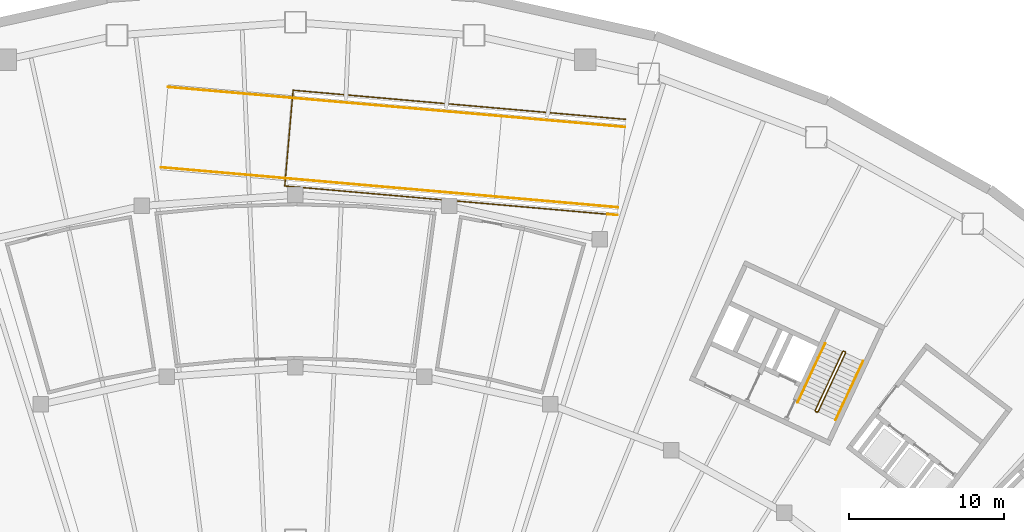
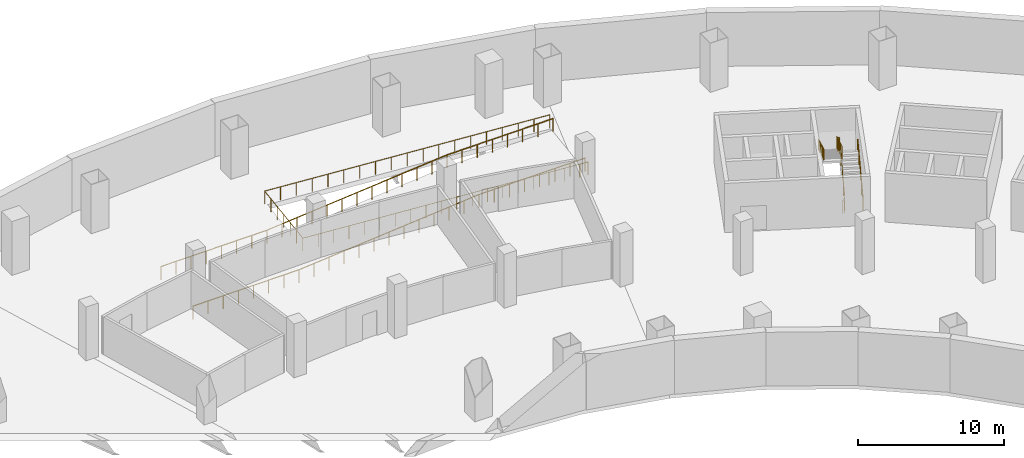
# One storey, part 10 of 11: 7 railings.
"""IFC4 building model written with IfcOpenShell, lengths in metres."""

from ifc_helpers import new_model, si_unit, direction, frame, origin, origin_2d, place, context, subcontext, project, spatial, circle, extrude, material, type_object, element, save


model = new_model("IFC4")

# Units and contexts
model_context = context("Model", 3, precision=1e-05, world=origin(), true_north=direction((0.0, 1.0)))
body_context = subcontext(model_context, "Body", "Model", "MODEL_VIEW")
ifc_project = project(units=[si_unit("LENGTHUNIT", "METRE"), si_unit("AREAUNIT", "SQUARE_METRE"), si_unit("VOLUMEUNIT", "CUBIC_METRE"), si_unit("PLANEANGLEUNIT", "RADIAN"), si_unit("MASSUNIT", "GRAM", prefix="KILO")], contexts=[model_context])

# Site, building, storey
site_placement = place(None, origin())
site = spatial("IfcSite", under=ifc_project, at=site_placement, CompositionType="ELEMENT")
building_placement = place(site_placement, origin())
building = spatial("IfcBuilding", under=site, at=building_placement, Name="Tuul Gate Civic Tower", CompositionType="ELEMENT")
storey_placement = place(building_placement, frame((0.0, 0.0, -4.5)))
storey = spatial("IfcBuildingStorey", under=building, at=storey_placement, Name="Basement 1", CompositionType="ELEMENT", Elevation=-4.5)

# Railings
ifc_material_1 = material(Name="Painted steel", Category="steel")
railing_type_1 = type_object("IfcRailingType", Name="Stair guard", PredefinedType="GUARDRAIL", material=ifc_material_1)
railing_1_placement = place(storey_placement, frame((33.645751953125, -5.238525390625, 0.0)))
element("IfcRailing", 1, at=railing_1_placement, inside=storey, type_object=railing_type_1, Name="Basement 1 ST-4 stair guard 1", PredefinedType="GUARDRAIL", context=body_context, shape_type="SweptSolid", body=[
    extrude(circle(Radius=0.02392578125, at=origin_2d()), frame((0.0, 0.0, 1.076171875), z_axis=(-0.906307919131, 0.422617978463, 0.0), x_axis=(-0.422617978463, -0.906307919131, 0.0)), (0.0, 0.0, 1.0), 0.099853515625),
    extrude(circle(Radius=0.02392578125, at=origin_2d()), frame((-0.090576171875, 0.042236328125, 1.076171875), z_axis=(0.720735628292, -0.082946246491, 0.688229666829), x_axis=(0.114330889033, 0.993442724979, 0.0)), (0.0, 0.0, 1.0), 0.2177734375),
    extrude(circle(Radius=0.02392578125, at=origin_2d()), frame((0.06640625, 0.024169921875, 1.22607421875), z_axis=(0.377970874565, 0.810635746385, 0.447222209492), x_axis=(-0.906322681284, 0.422586319455, 0.0)), (0.0, 0.0, 1.0), 4.69580078125),
    extrude(circle(Radius=0.02392578125, at=origin_2d()), frame((1.84130859375, 3.830810546875, 3.326171875), z_axis=(-0.342020437038, 0.939692513883, 0.0), x_axis=(-0.939692513883, -0.342020437038, 0.0)), (0.0, 0.0, 1.0), 0.070556640625),
    extrude(circle(Radius=0.02392578125, at=origin_2d()), frame((1.817138671875, 3.897216796875, 3.326171875), z_axis=(-0.906742786819, 0.421684145483, 0.0), x_axis=(-0.421684145483, -0.906742786819, 0.0)), (0.0, 0.0, 1.0), 0.10009765625),
    extrude(circle(Radius=0.02392578125, at=origin_2d()), frame((1.726318359375, 3.939453125, 3.326171875), z_axis=(-0.40070210376, -0.145843780413, 0.904526072458), x_axis=(0.342020437038, -0.939692513883, 0.0)), (0.0, 0.0, 1.0), 0.165771484375),
    extrude(circle(Radius=0.02392578125, at=origin_2d()), frame((1.659912109375, 3.915283203125, 3.47607421875), z_axis=(-0.377926310225, -0.810651675474, 0.447230997462), x_axis=(0.906344943348, -0.422538570626, 0.0)), (0.0, 0.0, 1.0), 4.69580078125),
    extrude(circle(Radius=0.02099609375, at=origin_2d()), origin(), (0.0, 0.0, 1.0), 1.052001953125),
    extrude(circle(Radius=0.02099609375, at=origin_2d()), frame((-0.090576171875, 0.042236328125, 0.0)), (0.0, 0.0, 1.0), 1.052001953125),
    extrude(circle(Radius=0.02099609375, at=origin_2d()), frame((0.06640625, 0.024169921875, 0.14990234375)), (0.0, 0.0, 1.0), 1.052001953125),
    extrude(circle(Radius=0.02099609375, at=origin_2d()), frame((0.51025390625, 0.975830078125, 0.6748046875)), (0.0, 0.0, 1.0), 1.052001953125),
    extrude(circle(Radius=0.02099609375, at=origin_2d()), frame((0.953857421875, 1.927490234375, 1.199951171875)), (0.0, 0.0, 1.0), 1.052001953125),
    extrude(circle(Radius=0.02099609375, at=origin_2d()), frame((1.3974609375, 2.879150390625, 1.72509765625)), (0.0, 0.0, 1.0), 1.052001953125),
    extrude(circle(Radius=0.02099609375, at=origin_2d()), frame((1.84130859375, 3.830810546875, 2.25)), (0.0, 0.0, 1.0), 1.052001953125),
    extrude(circle(Radius=0.02099609375, at=origin_2d()), frame((1.817138671875, 3.897216796875, 2.25)), (0.0, 0.0, 1.0), 1.052001953125),
    extrude(circle(Radius=0.02099609375, at=origin_2d()), frame((1.726318359375, 3.939453125, 2.25)), (0.0, 0.0, 1.0), 1.052001953125),
    extrude(circle(Radius=0.02099609375, at=origin_2d()), frame((1.659912109375, 3.915283203125, 2.39990234375)), (0.0, 0.0, 1.0), 1.052001953125),
    extrude(circle(Radius=0.02099609375, at=origin_2d()), frame((1.21630859375, 2.963623046875, 2.9248046875)), (0.0, 0.0, 1.0), 1.052001953125),
    extrude(circle(Radius=0.02099609375, at=origin_2d()), frame((0.7724609375, 2.011962890625, 3.449951171875)), (0.0, 0.0, 1.0), 1.052001953125),
    extrude(circle(Radius=0.02099609375, at=origin_2d()), frame((0.328857421875, 1.060302734375, 3.97509765625)), (0.0, 0.0, 1.0), 1.052001953125),
    extrude(circle(Radius=0.02099609375, at=origin_2d()), frame((-0.11474609375, 0.108642578125, 4.5)), (0.0, 0.0, 1.0), 1.052001953125),
])
ifc_material_2 = material(Name="Painted steel", Category="steel")
railing_type_2 = type_object("IfcRailingType", Name="Stair handrail", PredefinedType="HANDRAIL", material=ifc_material_2)
railing_2_placement = place(storey_placement, frame((34.844970703125, -5.74267578125, 0.14990234375)))
element("IfcRailing", 2, at=railing_2_placement, inside=storey, type_object=railing_type_2, Name="Basement 1 ST-4 stair handrail 1", PredefinedType="HANDRAIL", context=body_context, shape_type="SweptSolid", body=[
    extrude(circle(Radius=0.02392578125, at=origin_2d()), frame((0.0, 0.0, 0.8759765625), z_axis=(0.377970874565, 0.810635746385, 0.447222209492), x_axis=(-0.906322681284, 0.422586319455, 0.0)), (0.0, 0.0, 1.0), 4.69580078125),
    extrude(circle(Radius=0.02099609375, at=origin_2d()), origin(), (0.0, 0.0, 1.0), 0.851806640625),
    extrude(circle(Radius=0.02099609375, at=origin_2d()), frame((0.44384765625, 0.95166015625, 0.52490234375)), (0.0, 0.0, 1.0), 0.851806640625),
    extrude(circle(Radius=0.02099609375, at=origin_2d()), frame((0.887451171875, 1.9033203125, 1.050048828125)), (0.0, 0.0, 1.0), 0.851806640625),
    extrude(circle(Radius=0.02099609375, at=origin_2d()), frame((1.3310546875, 2.85498046875, 1.5751953125)), (0.0, 0.0, 1.0), 0.851806640625),
    extrude(circle(Radius=0.02099609375, at=origin_2d()), frame((1.77490234375, 3.806640625, 2.10009765625)), (0.0, 0.0, 1.0), 0.851806640625),
])
railing_3_placement = place(storey_placement, frame((34.1728515625, -0.795166015625, 2.39990234375)))
element("IfcRailing", 3, at=railing_3_placement, inside=storey, type_object=railing_type_2, Name="Basement 1 ST-4 stair handrail 2", PredefinedType="HANDRAIL", context=body_context, shape_type="SweptSolid", body=[
    extrude(circle(Radius=0.02392578125, at=origin_2d()), frame((0.0, 0.0, 0.8759765625), z_axis=(-0.377986804777, -0.810617919294, 0.447241058416), x_axis=(0.906312300116, -0.422608583275, 0.0)), (0.0, 0.0, 1.0), 4.695556640625),
    extrude(circle(Radius=0.02099609375, at=origin_2d()), origin(), (0.0, 0.0, 1.0), 0.851806640625),
    extrude(circle(Radius=0.02099609375, at=origin_2d()), frame((-0.44384765625, -0.95166015625, 0.52490234375)), (0.0, 0.0, 1.0), 0.851806640625),
    extrude(circle(Radius=0.02099609375, at=origin_2d()), frame((-0.887451171875, -1.9033203125, 1.050048828125)), (0.0, 0.0, 1.0), 0.851806640625),
    extrude(circle(Radius=0.02099609375, at=origin_2d()), frame((-1.3310546875, -2.854736328125, 1.5751953125)), (0.0, 0.0, 1.0), 0.851806640625),
    extrude(circle(Radius=0.02099609375, at=origin_2d()), frame((-1.77490234375, -3.806396484375, 2.10009765625)), (0.0, 0.0, 1.0), 0.851806640625),
])
ifc_material_3 = material(Name="Stainless steel", Category="steel")
railing_type_3 = type_object("IfcRailingType", Name="Terrace guard", PredefinedType="GUARDRAIL", material=ifc_material_3)
railing_4_placement = place(storey_placement, frame((20.803955078125, 7.97802734375, 0.0)))
element("IfcRailing", 4, at=railing_4_placement, inside=storey, type_object=railing_type_3, Name="Guard", PredefinedType="GUARDRAIL", context=body_context, shape_type="SweptSolid", body=[
    extrude(circle(Radius=0.02392578125, at=origin_2d()), frame((0.0, 0.0, 1.076171875), z_axis=(-0.992752857531, 0.086855231011, -0.083053794079), x_axis=(-0.087156350505, -0.99619464492, 0.0)), (0.0, 0.0, 1.0), 8.02783203125),
    extrude(circle(Radius=0.02392578125, at=origin_2d()), frame((-7.9697265625, 0.697265625, 0.4091796875), z_axis=(-0.982640874201, 0.085969787978, -0.164396191881), x_axis=(-0.087155593009, -0.996194711192, 0.0)), (0.0, 0.0, 1.0), 13.787353515625),
    extrude(circle(Radius=0.02392578125, at=origin_2d()), frame((-21.517822265625, 1.882568359375, -1.857421875), z_axis=(-0.992752857531, 0.086855231011, -0.083053794079), x_axis=(-0.087156350505, -0.99619464492, 0.0)), (0.0, 0.0, 1.0), 8.02783203125),
    extrude(circle(Radius=0.02099609375, at=origin_2d()), origin(), (0.0, 0.0, 1.0), 1.052001953125),
    extrude(circle(Radius=0.02099609375, at=origin_2d()), frame((-1.138427734375, 0.099609375, -0.09521484375)), (0.0, 0.0, 1.0), 1.052001953125),
    extrude(circle(Radius=0.02099609375, at=origin_2d()), frame((-2.277099609375, 0.19921875, -0.1904296875)), (0.0, 0.0, 1.0), 1.052001953125),
    extrude(circle(Radius=0.02099609375, at=origin_2d()), frame((-3.41552734375, 0.298828125, -0.28564453125)), (0.0, 0.0, 1.0), 1.052001953125),
    extrude(circle(Radius=0.02099609375, at=origin_2d()), frame((-4.55419921875, 0.3984375, -0.381103515625)), (0.0, 0.0, 1.0), 1.052001953125),
    extrude(circle(Radius=0.02099609375, at=origin_2d()), frame((-5.692626953125, 0.498046875, -0.476318359375)), (0.0, 0.0, 1.0), 1.052001953125),
    extrude(circle(Radius=0.02099609375, at=origin_2d()), frame((-6.831298828125, 0.59765625, -0.571533203125)), (0.0, 0.0, 1.0), 1.052001953125),
    extrude(circle(Radius=0.02099609375, at=origin_2d()), frame((-7.9697265625, 0.697265625, -0.666748046875)), (0.0, 0.0, 1.0), 1.052001953125),
    extrude(circle(Radius=0.02099609375, at=origin_2d()), frame((-9.0986328125, 0.796142578125, -0.855712890625)), (0.0, 0.0, 1.0), 1.052001953125),
    extrude(circle(Radius=0.02099609375, at=origin_2d()), frame((-10.227783203125, 0.894775390625, -1.04443359375)), (0.0, 0.0, 1.0), 1.052001953125),
    extrude(circle(Radius=0.02099609375, at=origin_2d()), frame((-11.356689453125, 0.99365234375, -1.2333984375)), (0.0, 0.0, 1.0), 1.052001953125),
    extrude(circle(Radius=0.02099609375, at=origin_2d()), frame((-12.48583984375, 1.09228515625, -1.42236328125)), (0.0, 0.0, 1.0), 1.052001953125),
    extrude(circle(Radius=0.02099609375, at=origin_2d()), frame((-13.61474609375, 1.191162109375, -1.611083984375)), (0.0, 0.0, 1.0), 1.052001953125),
    extrude(circle(Radius=0.02099609375, at=origin_2d()), frame((-14.74365234375, 1.2900390625, -1.800048828125)), (0.0, 0.0, 1.0), 1.052001953125),
    extrude(circle(Radius=0.02099609375, at=origin_2d()), frame((-15.872802734375, 1.388671875, -1.989013671875)), (0.0, 0.0, 1.0), 1.052001953125),
    extrude(circle(Radius=0.02099609375, at=origin_2d()), frame((-17.001708984375, 1.487548828125, -2.177734375)), (0.0, 0.0, 1.0), 1.052001953125),
    extrude(circle(Radius=0.02099609375, at=origin_2d()), frame((-18.130859375, 1.586181640625, -2.36669921875)), (0.0, 0.0, 1.0), 1.052001953125),
    extrude(circle(Radius=0.02099609375, at=origin_2d()), frame((-19.259765625, 1.68505859375, -2.5556640625)), (0.0, 0.0, 1.0), 1.052001953125),
    extrude(circle(Radius=0.02099609375, at=origin_2d()), frame((-20.388916015625, 1.78369140625, -2.744384765625)), (0.0, 0.0, 1.0), 1.052001953125),
    extrude(circle(Radius=0.02099609375, at=origin_2d()), frame((-21.517822265625, 1.882568359375, -2.933349609375)), (0.0, 0.0, 1.0), 1.052001953125),
    extrude(circle(Radius=0.02099609375, at=origin_2d()), frame((-22.65625, 1.982177734375, -3.028564453125)), (0.0, 0.0, 1.0), 1.052001953125),
    extrude(circle(Radius=0.02099609375, at=origin_2d()), frame((-23.794921875, 2.081787109375, -3.123779296875)), (0.0, 0.0, 1.0), 1.052001953125),
    extrude(circle(Radius=0.02099609375, at=origin_2d()), frame((-24.933349609375, 2.181396484375, -3.218994140625)), (0.0, 0.0, 1.0), 1.052001953125),
    extrude(circle(Radius=0.02099609375, at=origin_2d()), frame((-26.072021484375, 2.281005859375, -3.314453125)), (0.0, 0.0, 1.0), 1.052001953125),
    extrude(circle(Radius=0.02099609375, at=origin_2d()), frame((-27.21044921875, 2.380615234375, -3.40966796875)), (0.0, 0.0, 1.0), 1.052001953125),
    extrude(circle(Radius=0.02099609375, at=origin_2d()), frame((-28.34912109375, 2.480224609375, -3.5048828125)), (0.0, 0.0, 1.0), 1.052001953125),
    extrude(circle(Radius=0.02099609375, at=origin_2d()), frame((-29.487548828125, 2.579833984375, -3.60009765625)), (0.0, 0.0, 1.0), 1.052001953125),
])
railing_5_placement = place(storey_placement, frame((21.257080078125, 13.158203125, 0.0)))
element("IfcRailing", 5, at=railing_5_placement, inside=storey, type_object=railing_type_3, Name="Guard", PredefinedType="GUARDRAIL", context=body_context, shape_type="SweptSolid", body=[
    extrude(circle(Radius=0.02392578125, at=origin_2d()), frame((0.0, 0.0, 1.076171875), z_axis=(-0.992752418315, 0.086857853344, -0.08305630164), x_axis=(-0.087159000208, -0.996194413095, 0.0)), (0.0, 0.0, 1.0), 8.027587890625),
    extrude(circle(Radius=0.02392578125, at=origin_2d()), frame((-7.969482421875, 0.697265625, 0.4091796875), z_axis=(-0.982641483621, 0.085968292121, -0.164393331422), x_axis=(-0.087154034398, -0.996194847552, 0.0)), (0.0, 0.0, 1.0), 13.78759765625),
    extrude(circle(Radius=0.02392578125, at=origin_2d()), frame((-21.517822265625, 1.882568359375, -1.857421875), z_axis=(-0.992752418315, 0.086857853344, -0.08305630164), x_axis=(-0.087159000208, -0.996194413095, 0.0)), (0.0, 0.0, 1.0), 8.027587890625),
    extrude(circle(Radius=0.02099609375, at=origin_2d()), origin(), (0.0, 0.0, 1.0), 1.052001953125),
    extrude(circle(Radius=0.02099609375, at=origin_2d()), frame((-1.138427734375, 0.099609375, -0.09521484375)), (0.0, 0.0, 1.0), 1.052001953125),
    extrude(circle(Radius=0.02099609375, at=origin_2d()), frame((-2.277099609375, 0.19921875, -0.1904296875)), (0.0, 0.0, 1.0), 1.052001953125),
    extrude(circle(Radius=0.02099609375, at=origin_2d()), frame((-3.41552734375, 0.298828125, -0.28564453125)), (0.0, 0.0, 1.0), 1.052001953125),
    extrude(circle(Radius=0.02099609375, at=origin_2d()), frame((-4.553955078125, 0.3984375, -0.381103515625)), (0.0, 0.0, 1.0), 1.052001953125),
    extrude(circle(Radius=0.02099609375, at=origin_2d()), frame((-5.6923828125, 0.498046875, -0.476318359375)), (0.0, 0.0, 1.0), 1.052001953125),
    extrude(circle(Radius=0.02099609375, at=origin_2d()), frame((-6.8310546875, 0.59765625, -0.571533203125)), (0.0, 0.0, 1.0), 1.052001953125),
    extrude(circle(Radius=0.02099609375, at=origin_2d()), frame((-7.969482421875, 0.697265625, -0.666748046875)), (0.0, 0.0, 1.0), 1.052001953125),
    extrude(circle(Radius=0.02099609375, at=origin_2d()), frame((-9.0986328125, 0.796142578125, -0.855712890625)), (0.0, 0.0, 1.0), 1.052001953125),
    extrude(circle(Radius=0.02099609375, at=origin_2d()), frame((-10.2275390625, 0.894775390625, -1.04443359375)), (0.0, 0.0, 1.0), 1.052001953125),
    extrude(circle(Radius=0.02099609375, at=origin_2d()), frame((-11.3564453125, 0.99365234375, -1.2333984375)), (0.0, 0.0, 1.0), 1.052001953125),
    extrude(circle(Radius=0.02099609375, at=origin_2d()), frame((-12.485595703125, 1.09228515625, -1.42236328125)), (0.0, 0.0, 1.0), 1.052001953125),
    extrude(circle(Radius=0.02099609375, at=origin_2d()), frame((-13.61474609375, 1.191162109375, -1.611083984375)), (0.0, 0.0, 1.0), 1.052001953125),
    extrude(circle(Radius=0.02099609375, at=origin_2d()), frame((-14.74365234375, 1.2900390625, -1.800048828125)), (0.0, 0.0, 1.0), 1.052001953125),
    extrude(circle(Radius=0.02099609375, at=origin_2d()), frame((-15.87255859375, 1.388671875, -1.989013671875)), (0.0, 0.0, 1.0), 1.052001953125),
    extrude(circle(Radius=0.02099609375, at=origin_2d()), frame((-17.001708984375, 1.487548828125, -2.177734375)), (0.0, 0.0, 1.0), 1.052001953125),
    extrude(circle(Radius=0.02099609375, at=origin_2d()), frame((-18.130859375, 1.586181640625, -2.36669921875)), (0.0, 0.0, 1.0), 1.052001953125),
    extrude(circle(Radius=0.02099609375, at=origin_2d()), frame((-19.259765625, 1.68505859375, -2.5556640625)), (0.0, 0.0, 1.0), 1.052001953125),
    extrude(circle(Radius=0.02099609375, at=origin_2d()), frame((-20.388671875, 1.78369140625, -2.744384765625)), (0.0, 0.0, 1.0), 1.052001953125),
    extrude(circle(Radius=0.02099609375, at=origin_2d()), frame((-21.517822265625, 1.882568359375, -2.933349609375)), (0.0, 0.0, 1.0), 1.052001953125),
    extrude(circle(Radius=0.02099609375, at=origin_2d()), frame((-22.65625, 1.982177734375, -3.028564453125)), (0.0, 0.0, 1.0), 1.052001953125),
    extrude(circle(Radius=0.02099609375, at=origin_2d()), frame((-23.794921875, 2.081787109375, -3.123779296875)), (0.0, 0.0, 1.0), 1.052001953125),
    extrude(circle(Radius=0.02099609375, at=origin_2d()), frame((-24.933349609375, 2.181396484375, -3.218994140625)), (0.0, 0.0, 1.0), 1.052001953125),
    extrude(circle(Radius=0.02099609375, at=origin_2d()), frame((-26.07177734375, 2.281005859375, -3.314453125)), (0.0, 0.0, 1.0), 1.052001953125),
    extrude(circle(Radius=0.02099609375, at=origin_2d()), frame((-27.210205078125, 2.380615234375, -3.40966796875)), (0.0, 0.0, 1.0), 1.052001953125),
    extrude(circle(Radius=0.02099609375, at=origin_2d()), frame((-28.348876953125, 2.480224609375, -3.5048828125)), (0.0, 0.0, 1.0), 1.052001953125),
    extrude(circle(Radius=0.02099609375, at=origin_2d()), frame((-29.4873046875, 2.579833984375, -3.60009765625)), (0.0, 0.0, 1.0), 1.052001953125),
])
railing_6_placement = place(storey_placement, frame((20.1279296875, 7.53564453125, 0.0)))
element("IfcRailing", 6, at=railing_6_placement, inside=storey, type_object=railing_type_3, Name="Guard", PredefinedType="GUARDRAIL", context=body_context, shape_type="SweptSolid", body=[
    extrude(circle(Radius=0.02392578125, at=origin_2d()), frame((0.0, 0.0, 1.076171875), z_axis=(-0.996197203371, 0.087127102538, 0.0), x_axis=(-0.087127102538, -0.996197203371, 0.0)), (0.0, 0.0, 1.0), 20.901123046875),
    extrude(circle(Radius=0.02392578125, at=origin_2d()), frame((-20.821533203125, 1.821044921875, 1.076171875), z_axis=(0.087137643116, 0.996196281439, 0.0), x_axis=(-0.996196281439, 0.087137643116, 0.0)), (0.0, 0.0, 1.0), 6.200439453125),
    extrude(circle(Radius=0.02392578125, at=origin_2d()), frame((-20.28125, 7.997802734375, 1.076171875), z_axis=(0.996194935575, -0.087153028263, 0.0), x_axis=(0.087153028263, 0.996194935575, 0.0)), (0.0, 0.0, 1.0), 21.536376953125),
    extrude(circle(Radius=0.02099609375, at=origin_2d()), origin(), (0.0, 0.0, 1.0), 1.052001953125),
    extrude(circle(Radius=0.02099609375, at=origin_2d()), frame((-1.15673828125, 0.10107421875, 0.0)), (0.0, 0.0, 1.0), 1.052001953125),
    extrude(circle(Radius=0.02099609375, at=origin_2d()), frame((-2.3134765625, 0.202392578125, 0.0)), (0.0, 0.0, 1.0), 1.052001953125),
    extrude(circle(Radius=0.02099609375, at=origin_2d()), frame((-3.47021484375, 0.303466796875, 0.0)), (0.0, 0.0, 1.0), 1.052001953125),
    extrude(circle(Radius=0.02099609375, at=origin_2d()), frame((-4.626953125, 0.40478515625, 0.0)), (0.0, 0.0, 1.0), 1.052001953125),
    extrude(circle(Radius=0.02099609375, at=origin_2d()), frame((-5.78369140625, 0.505859375, 0.0)), (0.0, 0.0, 1.0), 1.052001953125),
    extrude(circle(Radius=0.02099609375, at=origin_2d()), frame((-6.9404296875, 0.60693359375, 0.0)), (0.0, 0.0, 1.0), 1.052001953125),
    extrude(circle(Radius=0.02099609375, at=origin_2d()), frame((-8.09716796875, 0.708251953125, 0.0)), (0.0, 0.0, 1.0), 1.052001953125),
    extrude(circle(Radius=0.02099609375, at=origin_2d()), frame((-9.25390625, 0.809326171875, 0.0)), (0.0, 0.0, 1.0), 1.052001953125),
    extrude(circle(Radius=0.02099609375, at=origin_2d()), frame((-10.41064453125, 0.91064453125, 0.0)), (0.0, 0.0, 1.0), 1.052001953125),
    extrude(circle(Radius=0.02099609375, at=origin_2d()), frame((-11.567626953125, 1.01171875, 0.0)), (0.0, 0.0, 1.0), 1.052001953125),
    extrude(circle(Radius=0.02099609375, at=origin_2d()), frame((-12.724365234375, 1.11279296875, 0.0)), (0.0, 0.0, 1.0), 1.052001953125),
    extrude(circle(Radius=0.02099609375, at=origin_2d()), frame((-13.881103515625, 1.214111328125, 0.0)), (0.0, 0.0, 1.0), 1.052001953125),
    extrude(circle(Radius=0.02099609375, at=origin_2d()), frame((-15.037841796875, 1.315185546875, 0.0)), (0.0, 0.0, 1.0), 1.052001953125),
    extrude(circle(Radius=0.02099609375, at=origin_2d()), frame((-16.194580078125, 1.416259765625, 0.0)), (0.0, 0.0, 1.0), 1.052001953125),
    extrude(circle(Radius=0.02099609375, at=origin_2d()), frame((-17.351318359375, 1.517578125, 0.0)), (0.0, 0.0, 1.0), 1.052001953125),
    extrude(circle(Radius=0.02099609375, at=origin_2d()), frame((-18.508056640625, 1.61865234375, 0.0)), (0.0, 0.0, 1.0), 1.052001953125),
    extrude(circle(Radius=0.02099609375, at=origin_2d()), frame((-19.664794921875, 1.719970703125, 0.0)), (0.0, 0.0, 1.0), 1.052001953125),
    extrude(circle(Radius=0.02099609375, at=origin_2d()), frame((-20.821533203125, 1.821044921875, 0.0)), (0.0, 0.0, 1.0), 1.052001953125),
    extrude(circle(Radius=0.02099609375, at=origin_2d()), frame((-20.7314453125, 2.8505859375, 0.0)), (0.0, 0.0, 1.0), 1.052001953125),
    extrude(circle(Radius=0.02099609375, at=origin_2d()), frame((-20.641357421875, 3.8798828125, 0.0)), (0.0, 0.0, 1.0), 1.052001953125),
    extrude(circle(Radius=0.02099609375, at=origin_2d()), frame((-20.55126953125, 4.909423828125, 0.0)), (0.0, 0.0, 1.0), 1.052001953125),
    extrude(circle(Radius=0.02099609375, at=origin_2d()), frame((-20.46142578125, 5.93896484375, 0.0)), (0.0, 0.0, 1.0), 1.052001953125),
    extrude(circle(Radius=0.02099609375, at=origin_2d()), frame((-20.371337890625, 6.96826171875, 0.0)), (0.0, 0.0, 1.0), 1.052001953125),
    extrude(circle(Radius=0.02099609375, at=origin_2d()), frame((-20.28125, 7.997802734375, 0.0)), (0.0, 0.0, 1.0), 1.052001953125),
    extrude(circle(Radius=0.02099609375, at=origin_2d()), frame((-19.08935546875, 7.8935546875, 0.0)), (0.0, 0.0, 1.0), 1.052001953125),
    extrude(circle(Radius=0.02099609375, at=origin_2d()), frame((-17.8974609375, 7.789306640625, 0.0)), (0.0, 0.0, 1.0), 1.052001953125),
    extrude(circle(Radius=0.02099609375, at=origin_2d()), frame((-16.70556640625, 7.68505859375, 0.0)), (0.0, 0.0, 1.0), 1.052001953125),
    extrude(circle(Radius=0.02099609375, at=origin_2d()), frame((-15.513671875, 7.580810546875, 0.0)), (0.0, 0.0, 1.0), 1.052001953125),
    extrude(circle(Radius=0.02099609375, at=origin_2d()), frame((-14.32177734375, 7.476318359375, 0.0)), (0.0, 0.0, 1.0), 1.052001953125),
    extrude(circle(Radius=0.02099609375, at=origin_2d()), frame((-13.1298828125, 7.3720703125, 0.0)), (0.0, 0.0, 1.0), 1.052001953125),
    extrude(circle(Radius=0.02099609375, at=origin_2d()), frame((-11.93798828125, 7.267822265625, 0.0)), (0.0, 0.0, 1.0), 1.052001953125),
    extrude(circle(Radius=0.02099609375, at=origin_2d()), frame((-10.74609375, 7.16357421875, 0.0)), (0.0, 0.0, 1.0), 1.052001953125),
    extrude(circle(Radius=0.02099609375, at=origin_2d()), frame((-9.55419921875, 7.059326171875, 0.0)), (0.0, 0.0, 1.0), 1.052001953125),
    extrude(circle(Radius=0.02099609375, at=origin_2d()), frame((-8.362060546875, 6.955078125, 0.0)), (0.0, 0.0, 1.0), 1.052001953125),
    extrude(circle(Radius=0.02099609375, at=origin_2d()), frame((-7.170166015625, 6.850830078125, 0.0)), (0.0, 0.0, 1.0), 1.052001953125),
    extrude(circle(Radius=0.02099609375, at=origin_2d()), frame((-5.978271484375, 6.74658203125, 0.0)), (0.0, 0.0, 1.0), 1.052001953125),
    extrude(circle(Radius=0.02099609375, at=origin_2d()), frame((-4.786376953125, 6.642333984375, 0.0)), (0.0, 0.0, 1.0), 1.052001953125),
    extrude(circle(Radius=0.02099609375, at=origin_2d()), frame((-3.594482421875, 6.537841796875, 0.0)), (0.0, 0.0, 1.0), 1.052001953125),
    extrude(circle(Radius=0.02099609375, at=origin_2d()), frame((-2.402587890625, 6.43359375, 0.0)), (0.0, 0.0, 1.0), 1.052001953125),
    extrude(circle(Radius=0.02099609375, at=origin_2d()), frame((-1.210693359375, 6.329345703125, 0.0)), (0.0, 0.0, 1.0), 1.052001953125),
    extrude(circle(Radius=0.02099609375, at=origin_2d()), frame((-0.018798828125, 6.22509765625, 0.0)), (0.0, 0.0, 1.0), 1.052001953125),
    extrude(circle(Radius=0.02099609375, at=origin_2d()), frame((1.173095703125, 6.120849609375, 0.0)), (0.0, 0.0, 1.0), 1.052001953125),
])
railing_7_placement = place(storey_placement, frame((20.759765625, 7.4794921875, 0.0)))
element("IfcRailing", 7, at=railing_7_placement, inside=storey, type_object=railing_type_3, Name="Guard", PredefinedType="GUARDRAIL", context=body_context, shape_type="SweptSolid", body=[
    extrude(circle(Radius=0.02392578125, at=origin_2d()), frame((0.0, 0.0, 1.076171875), z_axis=(-0.996077163461, 0.088488894398, 0.0), x_axis=(-0.088488894398, -0.996077163461, 0.0)), (0.0, 0.0, 1.0), 0.634521484375),
    extrude(circle(Radius=0.02099609375, at=origin_2d()), origin(), (0.0, 0.0, 1.0), 1.052001953125),
    extrude(circle(Radius=0.02099609375, at=origin_2d()), frame((-0.632080078125, 0.05615234375, 0.0)), (0.0, 0.0, 1.0), 1.052001953125),
])

save(model, "model.ifc")
